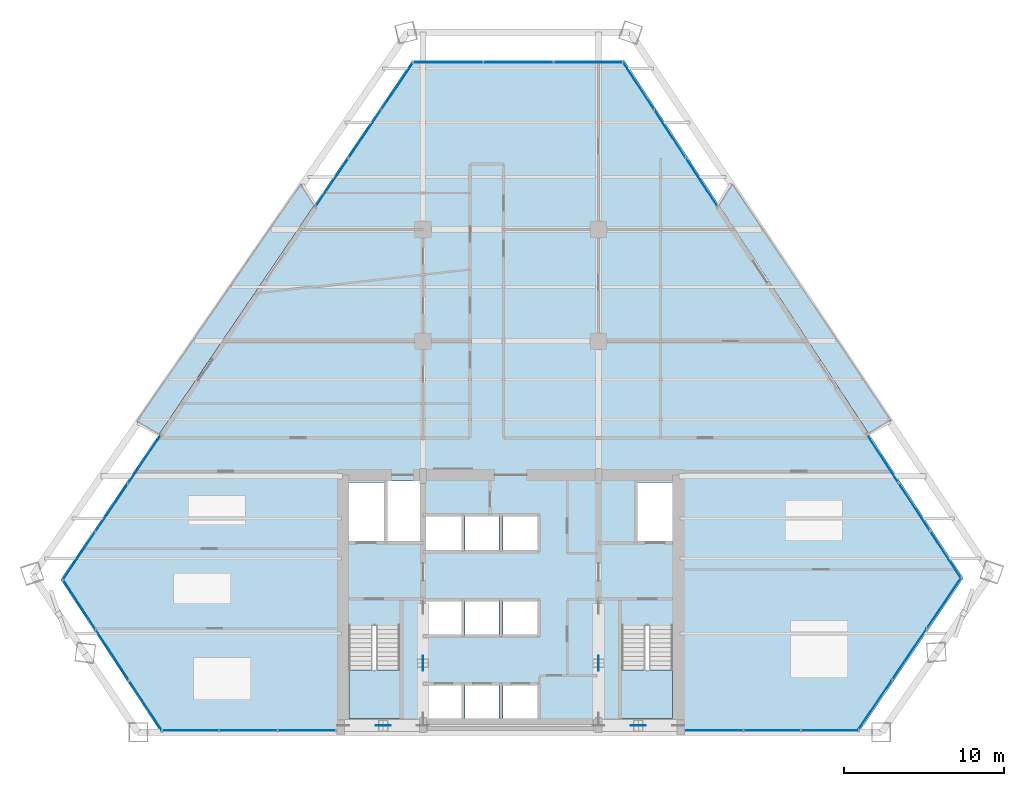
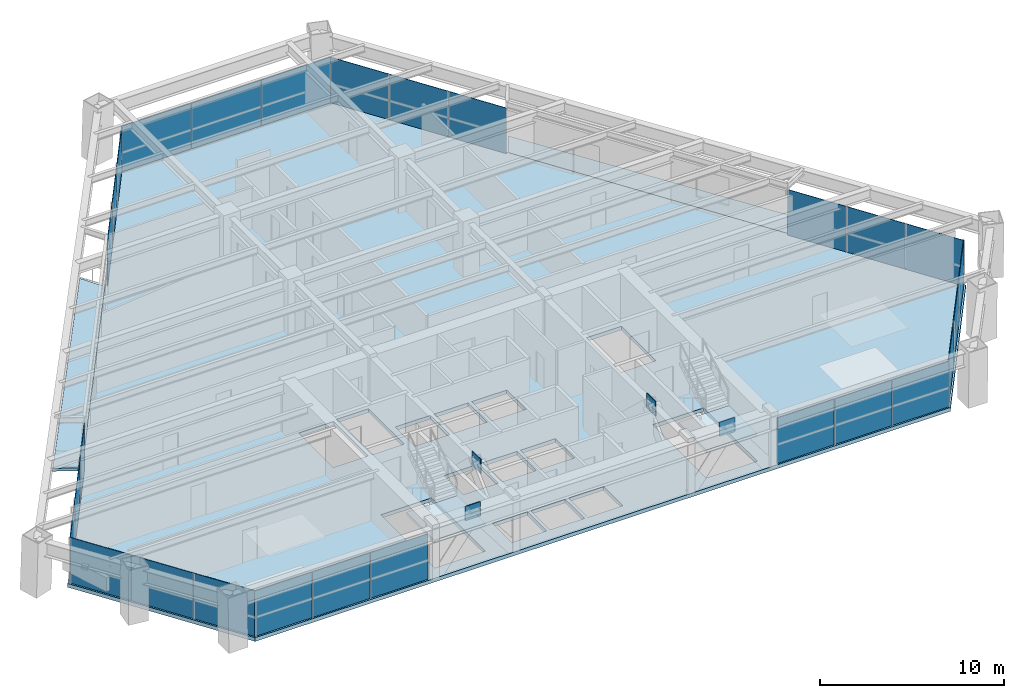
# One storey, part 9 of 14: 31 plates, 5 slabs, 11 elements without a shape of their own.
"""IFC4 building model written with IfcOpenShell, lengths in metres."""

from ifc_helpers import new_model, si_unit, direction, frame, origin, origin_2d, place, context, subcontext, project, spatial, polyline, rectangle, outline, extrude, source, transform, mapped, material, layer, layer_set, type_object, element, aggregate, save


model = new_model("IFC4")

# Units and contexts
model_context = context("Model", 3, precision=1e-05, world=origin(), true_north=direction((0.0, 1.0)))
body_context = subcontext(model_context, "Body", "Model", "MODEL_VIEW")
ifc_project = project(units=[si_unit("LENGTHUNIT", "METRE"), si_unit("AREAUNIT", "SQUARE_METRE"), si_unit("VOLUMEUNIT", "CUBIC_METRE"), si_unit("PLANEANGLEUNIT", "RADIAN"), si_unit("MASSUNIT", "GRAM", prefix="KILO")], contexts=[model_context])

# Site, building, storey
site_placement = place(None, origin())
site = spatial("IfcSite", under=ifc_project, at=site_placement, CompositionType="ELEMENT")
building_placement = place(site_placement, origin())
building = spatial("IfcBuilding", under=site, at=building_placement, Name="Varnakhor Terracotta Tower", CompositionType="ELEMENT")
storey_placement = place(building_placement, frame((0.0, 0.0, 76.60009765625)))
storey = spatial("IfcBuildingStorey", under=building, at=storey_placement, Name="L18", CompositionType="ELEMENT", Elevation=76.60009765625)

# Stair, slab
ifc_material_1 = material(Name="Concrete C40/50", Category="concrete")
stair_type = type_object("IfcStairType", Name="STR-CORE-OFFICE-1500", PredefinedType="HALF_TURN_STAIR", material=ifc_material_1)
stair_1_placement = place(storey_placement, origin())
stair_1 = element("IfcStair", 1, at=stair_1_placement, inside=storey, type_object=stair_type, Name="L18 Core Exit Stair ST-1", PredefinedType="HALF_TURN_STAIR")
ifc_layer_1 = layer(ifc_material_1, 0.179931640625, Name="Concrete C40/50")
ifc_layer_set_1 = layer_set([ifc_layer_1], Name="Concrete C40/50")
slab_type_1 = type_object("IfcSlabType", Name="SLB-LANDING-180", PredefinedType="LANDING", material=ifc_layer_set_1)
slab_1_placement = place(storey_placement, frame((0.0, 0.0, 1.64990234375)))
slab_1 = element("IfcSlab", 2, at=slab_1_placement, type_object=slab_type_1, Name="ST-1 landing 1", PredefinedType="LANDING", context=body_context, shape_type="SweptSolid", body=[
    extrude(outline(polyline([(-10.14990234375, 3.909912109375), (-10.14990234375, 0.85009765625), (-6.949951171875, 0.85009765625), (-6.949951171875, 3.909912109375), (-10.14990234375, 3.909912109375)])), origin(), (0.0, 0.0, 1.0), 0.199951171875),
])
aggregate(stair_1, [slab_1])

stair_2_placement = place(storey_placement, origin())
stair_2 = element("IfcStair", 3, at=stair_2_placement, inside=storey, type_object=stair_type, Name="L18 Core Exit Stair ST-2", PredefinedType="HALF_TURN_STAIR")
slab_2_placement = place(storey_placement, frame((0.0, 0.0, 1.64990234375)))
slab_2 = element("IfcSlab", 4, at=slab_2_placement, type_object=slab_type_1, Name="ST-2 landing 1", PredefinedType="LANDING", context=body_context, shape_type="SweptSolid", body=[
    extrude(outline(polyline([(6.949951171875, 3.909912109375), (6.949951171875, 0.85009765625), (10.14990234375, 0.85009765625), (10.14990234375, 3.909912109375), (6.949951171875, 3.909912109375)])), origin(), (0.0, 0.0, 1.0), 0.199951171875),
])
aggregate(stair_2, [slab_2])

# Slabs
ifc_layer_2 = layer(ifc_material_1, 0.195068359375, Name="Concrete C40/50")
ifc_layer_set_2 = layer_set([ifc_layer_2], Name="Concrete C40/50")
slab_type_2 = type_object("IfcSlabType", Name="SLB-LOGGIA-EXT-195", PredefinedType="FLOOR", material=ifc_layer_set_2)
slab_3_placement = place(storey_placement, frame((0.0, 0.0, -0.195068359375)))
element("IfcSlab", 5, at=slab_3_placement, inside=storey, type_object=slab_type_2, Name="L18 E Recessed Outdoor Loggia Slab", PredefinedType="FLOOR", context=body_context, shape_type="SweptSolid", body=[
    extrude(outline(polyline([(13.864501953125, 34.383544921875), (23.8173828125, 19.517578125), (22.409423828125, 18.743408203125), (18.4912109375, 24.7265625), (13.059814453125, 33.02001953125), (13.864501953125, 34.383544921875)])), origin(), (0.0, 0.0, 1.0), 0.195068359375),
])
slab_4_placement = place(storey_placement, frame((0.0, 0.0, -0.195068359375)))
element("IfcSlab", 6, at=slab_4_placement, inside=storey, type_object=slab_type_2, Name="L18 W Recessed Outdoor Loggia Slab", PredefinedType="FLOOR", context=body_context, shape_type="SweptSolid", body=[
    extrude(outline(polyline([(-23.439697265625, 19.45166015625), (-13.13671875, 34.35791015625), (-12.330810546875, 32.995361328125), (-17.53515625, 25.313720703125), (-22.029052734375, 18.680419921875), (-23.439697265625, 19.45166015625)])), origin(), (0.0, 0.0, 1.0), 0.195068359375),
])
ifc_layer_3 = layer(ifc_material_1, 0.25, Name="Concrete C40/50")
ifc_layer_set_3 = layer_set([ifc_layer_3], Name="Concrete C40/50")
slab_type_3 = type_object("IfcSlabType", Name="SLB-OFF-250", PredefinedType="FLOOR", material=ifc_layer_set_3)
slab_5_placement = place(storey_placement, frame((0.0, 0.0, -0.25)))
element("IfcSlab", 7, at=slab_5_placement, inside=storey, type_object=slab_type_3, Name="L18 Structural Floor Slab", PredefinedType="FLOOR", context=body_context, shape_type="SweptSolid", body=[
    extrude(outline(polyline([(-28.20068359375, 9.570556640625), (-6.159423828125, 42.10498046875), (7.110107421875, 42.10498046875), (28.359130859375, 9.658447265625), (21.81591796875, 0.0), (-21.932861328125, 0.0), (-28.20068359375, 9.570556640625)]), holes=[polyline([(-3.10009765625, 0.85009765625), (-3.10009765625, 2.949951171875), (-5.300048828125, 2.949951171875), (-5.300048828125, 0.85009765625), (-3.10009765625, 0.85009765625)]), polyline([(-2.8798828125, 0.85009765625), (-0.719970703125, 0.85009765625), (-0.719970703125, 2.949951171875), (-2.8798828125, 2.949951171875), (-2.8798828125, 0.85009765625)]), polyline([(-10.14990234375, 0.85009765625), (-6.949951171875, 0.85009765625), (-6.949951171875, 6.695068359375), (-10.14990234375, 6.695068359375), (-10.14990234375, 0.85009765625)]), polyline([(-5.300048828125, 6.10009765625), (-3.10009765625, 6.10009765625), (-3.10009765625, 8.199951171875), (-5.300048828125, 8.199951171875), (-5.300048828125, 6.10009765625)]), polyline([(-5.300048828125, 11.419921875), (-3.10009765625, 11.419921875), (-3.10009765625, 13.52001953125), (-5.300048828125, 13.52001953125), (-5.300048828125, 11.419921875)]), polyline([(-10.14990234375, 11.8798828125), (-7.949951171875, 11.8798828125), (-7.949951171875, 15.64990234375), (-10.14990234375, 15.64990234375), (-10.14990234375, 11.8798828125)]), polyline([(-7.72998046875, 11.8798828125), (-5.699951171875, 11.8798828125), (-5.699951171875, 15.75), (-7.72998046875, 15.75), (-7.72998046875, 11.8798828125)]), polyline([(1.699951171875, 0.85009765625), (1.699951171875, 2.949951171875), (-0.5, 2.949951171875), (-0.5, 0.85009765625), (1.699951171875, 0.85009765625)]), polyline([(6.949951171875, 0.85009765625), (10.14990234375, 0.85009765625), (10.14990234375, 6.695068359375), (6.949951171875, 6.695068359375), (6.949951171875, 0.85009765625)]), polyline([(-2.8798828125, 6.10009765625), (-0.719970703125, 6.10009765625), (-0.719970703125, 8.199951171875), (-2.8798828125, 8.199951171875), (-2.8798828125, 6.10009765625)]), polyline([(-0.5, 6.10009765625), (1.699951171875, 6.10009765625), (1.699951171875, 8.199951171875), (-0.5, 8.199951171875), (-0.5, 6.10009765625)]), polyline([(-2.8798828125, 11.419921875), (-0.719970703125, 11.419921875), (-0.719970703125, 13.52001953125), (-2.8798828125, 13.52001953125), (-2.8798828125, 11.419921875)]), polyline([(-0.5, 11.419921875), (1.699951171875, 11.419921875), (1.699951171875, 13.52001953125), (-0.5, 13.52001953125), (-0.5, 11.419921875)]), polyline([(7.949951171875, 11.8798828125), (10.14990234375, 11.8798828125), (10.14990234375, 15.64990234375), (7.949951171875, 15.64990234375), (7.949951171875, 11.8798828125)])]), origin(), (0.0, 0.0, 1.0), 0.25),
])

# Plates
ifc_material_2 = material(Name="Steel S460", Category="steel")
ifc_layer_4 = layer(ifc_material_2, 0.050048828125, Name="Steel S460")
ifc_layer_set_4 = layer_set([ifc_layer_4], Name="Steel S460")
plate_type_1 = type_object("IfcPlateType", Name="PLT-GUSSET-50", PredefinedType="USERDEFINED", material=ifc_layer_set_4)
shared_shape_1 = source(origin(), body_context, "Body", "SweptSolid", [
    extrude(rectangle(XDim=0.949951171875, YDim=0.044921875, at=origin_2d()), origin(), (0.0, 0.0, 1.0), 0.949951171875),
])
for number, where, z_axis, x_axis, name in (
    (8, (-8.0, 0.419921875, 2.82470703125), (0.0, 0.0, 1.0), (1.0, 0.0, 0.0), "L18 Core Brace Apex Gusset CSW"),
    (9, (8.0, 0.419921875, 2.82470703125), (0.0, 0.0, 1.0), (1.0, 0.0, 0.0), "L18 Core Brace Apex Gusset CSE"),
    (10, (-5.5, 4.324951171875, 2.82470703125), (0.0, 0.0, 1.0), (0.0, 1.0, 0.0), "L18 Core Brace Apex Gusset CWW"),
    (11, (5.5, 4.324951171875, 2.82470703125), (0.0, 0.0, 1.0), (0.0, 1.0, 0.0), "L18 Core Brace Apex Gusset CWE"),
):
    element("IfcPlate", number, at=place(storey_placement, frame(where, z_axis=z_axis, x_axis=x_axis)), inside=storey, type_object=plate_type_1, Name=name, ObjectType="GUSSET PLATE", PredefinedType="USERDEFINED", context=body_context, shape_type="MappedRepresentation", body=[
        mapped(shared_shape_1, transform((0.0, 0.0, 0.0), scale=1.0)),
    ])

# Curtain wall, plates
ifc_material_3 = material(Name="Anodised Aluminium Curtain Wall System", Category="aluminium")
curtain_wall_type = type_object("IfcCurtainWallType", Name="CW-SYS-LOW-OFFICE", PredefinedType="NOTDEFINED", material=ifc_material_3)
curtain_wall_1_placement = place(storey_placement, origin())
curtain_wall_1 = element("IfcCurtainWall", 12, at=curtain_wall_1_placement, inside=storey, type_object=curtain_wall_type, Name="L18 W Facet Curtain Wall 1", PredefinedType="NOTDEFINED")
ifc_material_4 = material(Name="Solar-Control Low-E Insulated Glass Panel", Category="glass")
ifc_layer_5 = layer(ifc_material_4, 0.0380859375, Name="Solar-Control Low-E Insulated Glass Panel")
ifc_layer_set_5 = layer_set([ifc_layer_5], Name="Solar-Control Low-E Insulated Glass Panel")
plate_type_2 = type_object("IfcPlateType", Name="CWP-02", PredefinedType="CURTAIN_PANEL", material=ifc_layer_set_5)
shared_shape_2 = source(origin(), body_context, "Body", "SweptSolid", [
    extrude(rectangle(XDim=3.60791015625, YDim=0.035888671875, at=origin_2d()), origin(), (0.0, 0.0, 1.0), 3.030029296875),
])
plate_1_placement = place(storey_placement, frame((-27.0615234375, 11.0380859375, 0.0), z_axis=(0.0, 0.0, 1.0), x_axis=(0.560884660329, 0.827893953238, 0.0)))
plate_1 = element("IfcPlate", 13, at=plate_1_placement, type_object=plate_type_2, Name="L18 W Facet Curtain Wall 1 Glazed Panel 1", PredefinedType="CURTAIN_PANEL", context=body_context, shape_type="MappedRepresentation", body=[
    mapped(shared_shape_2, transform((0.0, 0.0, 0.0), scale=1.0)),
])
plate_2_placement = place(storey_placement, frame((-25.015380859375, 14.05810546875, 0.0), z_axis=(0.0, 0.0, 1.0), x_axis=(0.560884660329, 0.827893953238, 0.0)))
plate_2 = element("IfcPlate", 14, at=plate_2_placement, type_object=plate_type_2, Name="L18 W Facet Curtain Wall 1 Glazed Panel 2", PredefinedType="CURTAIN_PANEL", context=body_context, shape_type="MappedRepresentation", body=[
    mapped(shared_shape_2, transform((0.0, 0.0, 0.0), scale=1.0)),
])
plate_3_placement = place(storey_placement, frame((-22.969482421875, 17.078125, 0.0), z_axis=(0.0, 0.0, 1.0), x_axis=(0.560884660329, 0.827893953238, 0.0)))
plate_3 = element("IfcPlate", 15, at=plate_3_placement, type_object=plate_type_2, Name="L18 W Facet Curtain Wall 1 Glazed Panel 3", PredefinedType="CURTAIN_PANEL", context=body_context, shape_type="MappedRepresentation", body=[
    mapped(shared_shape_2, transform((0.0, 0.0, 0.0), scale=1.0)),
])
aggregate(curtain_wall_1, [plate_1, plate_2, plate_3])

curtain_wall_2_placement = place(storey_placement, origin())
curtain_wall_2 = element("IfcCurtainWall", 16, at=curtain_wall_2_placement, inside=storey, type_object=curtain_wall_type, Name="L18 W Facet Curtain Wall 2", PredefinedType="NOTDEFINED")
plate_4_placement = place(storey_placement, frame((-11.19189453125, 34.462890625, 0.0), z_axis=(0.0, 0.0, 1.0), x_axis=(0.560884660329, 0.827893953238, 0.0)))
plate_4 = element("IfcPlate", 17, at=plate_4_placement, type_object=plate_type_2, Name="L18 W Facet Curtain Wall 2 Glazed Panel 1", PredefinedType="CURTAIN_PANEL", context=body_context, shape_type="MappedRepresentation", body=[
    mapped(shared_shape_2, transform((0.0, 0.0, 0.0), scale=1.0)),
])
plate_5_placement = place(storey_placement, frame((-9.145751953125, 37.48291015625, 0.0), z_axis=(0.0, 0.0, 1.0), x_axis=(0.560884660329, 0.827893953238, 0.0)))
plate_5 = element("IfcPlate", 18, at=plate_5_placement, type_object=plate_type_2, Name="L18 W Facet Curtain Wall 2 Glazed Panel 2", PredefinedType="CURTAIN_PANEL", context=body_context, shape_type="MappedRepresentation", body=[
    mapped(shared_shape_2, transform((0.0, 0.0, 0.0), scale=1.0)),
])
plate_6_placement = place(storey_placement, frame((-7.099853515625, 40.5029296875, 0.0), z_axis=(0.0, 0.0, 1.0), x_axis=(0.560884660329, 0.827893953238, 0.0)))
plate_6 = element("IfcPlate", 19, at=plate_6_placement, type_object=plate_type_2, Name="L18 W Facet Curtain Wall 2 Glazed Panel 3", PredefinedType="CURTAIN_PANEL", context=body_context, shape_type="MappedRepresentation", body=[
    mapped(shared_shape_2, transform((0.0, 0.0, 0.0), scale=1.0)),
])
aggregate(curtain_wall_2, [plate_4, plate_5, plate_6])

curtain_wall_3_placement = place(storey_placement, origin())
curtain_wall_3 = element("IfcCurtainWall", 20, at=curtain_wall_3_placement, inside=storey, type_object=curtain_wall_type, Name="L18 Facet Curtain Wall 2", PredefinedType="NOTDEFINED")
shared_shape_3 = source(origin(), body_context, "Body", "SweptSolid", [
    extrude(rectangle(XDim=4.36328125, YDim=0.035888671875, at=origin_2d()), origin(), (0.0, 0.0, 1.0), 3.030029296875),
])
plate_7_placement = place(storey_placement, frame((-3.927734375, 41.985107421875, 0.0), z_axis=(0.0, 0.0, 1.0), x_axis=(1.0, 0.0, 0.0)))
plate_7 = element("IfcPlate", 21, at=plate_7_placement, type_object=plate_type_2, Name="L18 Facet Curtain Wall 2 Glazed Panel 1", PredefinedType="CURTAIN_PANEL", context=body_context, shape_type="MappedRepresentation", body=[
    mapped(shared_shape_3, transform((0.0, 0.0, 0.0), scale=1.0)),
])
plate_8_placement = place(storey_placement, frame((4.87841796875, 41.985107421875, 0.0), z_axis=(0.0, 0.0, 1.0), x_axis=(1.0, 0.0, 0.0)))
plate_8 = element("IfcPlate", 22, at=plate_8_placement, type_object=plate_type_2, Name="L18 Facet Curtain Wall 2 Glazed Panel 3", PredefinedType="CURTAIN_PANEL", context=body_context, shape_type="MappedRepresentation", body=[
    mapped(shared_shape_3, transform((0.0, 0.0, 0.0), scale=1.0)),
])
shared_shape_4 = source(origin(), body_context, "Body", "SweptSolid", [
    extrude(rectangle(XDim=4.363037109375, YDim=0.035888671875, at=origin_2d()), origin(), (0.0, 0.0, 1.0), 3.030029296875),
])
plate_9_placement = place(storey_placement, frame((0.475341796875, 41.985107421875, 0.0), z_axis=(0.0, 0.0, 1.0), x_axis=(1.0, 0.0, 0.0)))
plate_9 = element("IfcPlate", 23, at=plate_9_placement, type_object=plate_type_2, Name="L18 Facet Curtain Wall 2 Glazed Panel 2", PredefinedType="CURTAIN_PANEL", context=body_context, shape_type="MappedRepresentation", body=[
    mapped(shared_shape_4, transform((0.0, 0.0, 0.0), scale=1.0)),
])
aggregate(curtain_wall_3, [plate_7, plate_9, plate_8])

curtain_wall_4_placement = place(storey_placement, origin())
curtain_wall_4 = element("IfcCurtainWall", 24, at=curtain_wall_4_placement, inside=storey, type_object=curtain_wall_type, Name="L18 E Facet Curtain Wall 1", PredefinedType="NOTDEFINED")
shared_shape_5 = source(origin(), body_context, "Body", "SweptSolid", [
    extrude(rectangle(XDim=3.56005859375, YDim=0.035888671875, at=origin_2d()), origin(), (0.0, 0.0, 1.0), 3.030029296875),
])
plate_10_placement = place(storey_placement, frame((8.01220703125, 40.50830078125, 0.0), z_axis=(0.0, 0.0, 1.0), x_axis=(0.547855275974, -0.836573126862, 0.0)))
plate_10 = element("IfcPlate", 25, at=plate_10_placement, type_object=plate_type_2, Name="L18 E Facet Curtain Wall 1 Glazed Panel 1", PredefinedType="CURTAIN_PANEL", context=body_context, shape_type="MappedRepresentation", body=[
    mapped(shared_shape_5, transform((0.0, 0.0, 0.0), scale=1.0)),
])
plate_11_placement = place(storey_placement, frame((9.984619140625, 37.496826171875, 0.0), z_axis=(0.0, 0.0, 1.0), x_axis=(0.547855275974, -0.836573126862, 0.0)))
plate_11 = element("IfcPlate", 26, at=plate_11_placement, type_object=plate_type_2, Name="L18 E Facet Curtain Wall 1 Glazed Panel 2", PredefinedType="CURTAIN_PANEL", context=body_context, shape_type="MappedRepresentation", body=[
    mapped(shared_shape_5, transform((0.0, 0.0, 0.0), scale=1.0)),
])
plate_12_placement = place(storey_placement, frame((11.956787109375, 34.485107421875, 0.0), z_axis=(0.0, 0.0, 1.0), x_axis=(0.547855275974, -0.836573126862, 0.0)))
plate_12 = element("IfcPlate", 27, at=plate_12_placement, type_object=plate_type_2, Name="L18 E Facet Curtain Wall 1 Glazed Panel 3", PredefinedType="CURTAIN_PANEL", context=body_context, shape_type="MappedRepresentation", body=[
    mapped(shared_shape_5, transform((0.0, 0.0, 0.0), scale=1.0)),
])
aggregate(curtain_wall_4, [plate_10, plate_11, plate_12])

curtain_wall_5_placement = place(storey_placement, origin())
curtain_wall_5 = element("IfcCurtainWall", 28, at=curtain_wall_5_placement, inside=storey, type_object=curtain_wall_type, Name="L18 E Facet Curtain Wall 2", PredefinedType="NOTDEFINED")
plate_13_placement = place(storey_placement, frame((23.3115234375, 17.14697265625, 0.0), z_axis=(0.0, 0.0, 1.0), x_axis=(0.547855275974, -0.836573126862, 0.0)))
plate_13 = element("IfcPlate", 29, at=plate_13_placement, type_object=plate_type_2, Name="L18 E Facet Curtain Wall 2 Glazed Panel 1", PredefinedType="CURTAIN_PANEL", context=body_context, shape_type="MappedRepresentation", body=[
    mapped(shared_shape_5, transform((0.0, 0.0, 0.0), scale=1.0)),
])
plate_14_placement = place(storey_placement, frame((25.283935546875, 14.13525390625, 0.0), z_axis=(0.0, 0.0, 1.0), x_axis=(0.547855275974, -0.836573126862, 0.0)))
plate_14 = element("IfcPlate", 30, at=plate_14_placement, type_object=plate_type_2, Name="L18 E Facet Curtain Wall 2 Glazed Panel 2", PredefinedType="CURTAIN_PANEL", context=body_context, shape_type="MappedRepresentation", body=[
    mapped(shared_shape_5, transform((0.0, 0.0, 0.0), scale=1.0)),
])
plate_15_placement = place(storey_placement, frame((27.256103515625, 11.123779296875, 0.0), z_axis=(0.0, 0.0, 1.0), x_axis=(0.547855275974, -0.836573126862, 0.0)))
plate_15 = element("IfcPlate", 31, at=plate_15_placement, type_object=plate_type_2, Name="L18 E Facet Curtain Wall 2 Glazed Panel 3", PredefinedType="CURTAIN_PANEL", context=body_context, shape_type="MappedRepresentation", body=[
    mapped(shared_shape_5, transform((0.0, 0.0, 0.0), scale=1.0)),
])
aggregate(curtain_wall_5, [plate_13, plate_14, plate_15])

curtain_wall_6_placement = place(storey_placement, origin())
curtain_wall_6 = element("IfcCurtainWall", 32, at=curtain_wall_6_placement, inside=storey, type_object=curtain_wall_type, Name="L18 Facet Curtain Wall 4", PredefinedType="NOTDEFINED")
shared_shape_6 = source(origin(), body_context, "Body", "SweptSolid", [
    extrude(rectangle(XDim=3.828857421875, YDim=0.035888671875, at=origin_2d()), origin(), (0.0, 0.0, 1.0), 3.030029296875),
])
plate_16_placement = place(storey_placement, frame((27.157958984375, 8.099609375, 0.0), z_axis=(0.0, 0.0, 1.0), x_axis=(-0.560870210768, -0.827903742396, 0.0)))
plate_16 = element("IfcPlate", 33, at=plate_16_placement, type_object=plate_type_2, Name="L18 Facet Curtain Wall 4 Glazed Panel 1", PredefinedType="CURTAIN_PANEL", context=body_context, shape_type="MappedRepresentation", body=[
    mapped(shared_shape_6, transform((0.0, 0.0, 0.0), scale=1.0)),
])
plate_17_placement = place(storey_placement, frame((22.818115234375, 1.693603515625, 0.0), z_axis=(0.0, 0.0, 1.0), x_axis=(-0.560870210768, -0.827903742396, 0.0)))
plate_17 = element("IfcPlate", 34, at=plate_17_placement, type_object=plate_type_2, Name="L18 Facet Curtain Wall 4 Glazed Panel 3", PredefinedType="CURTAIN_PANEL", context=body_context, shape_type="MappedRepresentation", body=[
    mapped(shared_shape_6, transform((0.0, 0.0, 0.0), scale=1.0)),
])
shared_shape_7 = source(origin(), body_context, "Body", "SweptSolid", [
    extrude(rectangle(XDim=3.82861328125, YDim=0.035888671875, at=origin_2d()), origin(), (0.0, 0.0, 1.0), 3.030029296875),
])
plate_18_placement = place(storey_placement, frame((24.988037109375, 4.896484375, 0.0), z_axis=(0.0, 0.0, 1.0), x_axis=(-0.560870210768, -0.827903742396, 0.0)))
plate_18 = element("IfcPlate", 35, at=plate_18_placement, type_object=plate_type_2, Name="L18 Facet Curtain Wall 4 Glazed Panel 2", PredefinedType="CURTAIN_PANEL", context=body_context, shape_type="MappedRepresentation", body=[
    mapped(shared_shape_7, transform((0.0, 0.0, 0.0), scale=1.0)),
])
aggregate(curtain_wall_6, [plate_16, plate_18, plate_17])

curtain_wall_7_placement = place(storey_placement, origin())
curtain_wall_7 = element("IfcCurtainWall", 36, at=curtain_wall_7_placement, inside=storey, type_object=curtain_wall_type, Name="L18 South Wing Curtain Wall SSE", PredefinedType="NOTDEFINED")
shared_shape_8 = source(origin(), body_context, "Body", "SweptSolid", [
    extrude(rectangle(XDim=3.572021484375, YDim=0.035888671875, at=origin_2d()), origin(), (0.0, 0.0, 1.0), 3.030029296875),
])
plate_19_placement = place(storey_placement, frame((20.0, 0.1201171875, 0.0), z_axis=(0.0, 0.0, 1.0), x_axis=(-1.0, 0.0, 0.0)))
plate_19 = element("IfcPlate", 37, at=plate_19_placement, type_object=plate_type_2, Name="L18 South Wing Curtain Wall SSE Glazed Panel 1", PredefinedType="CURTAIN_PANEL", context=body_context, shape_type="MappedRepresentation", body=[
    mapped(shared_shape_8, transform((0.0, 0.0, 0.0), scale=1.0)),
])
plate_20_placement = place(storey_placement, frame((16.387939453125, 0.1201171875, 0.0), z_axis=(0.0, 0.0, 1.0), x_axis=(-1.0, 0.0, 0.0)))
plate_20 = element("IfcPlate", 38, at=plate_20_placement, type_object=plate_type_2, Name="L18 South Wing Curtain Wall SSE Glazed Panel 2", PredefinedType="CURTAIN_PANEL", context=body_context, shape_type="MappedRepresentation", body=[
    mapped(shared_shape_8, transform((0.0, 0.0, 0.0), scale=1.0)),
])
plate_21_placement = place(storey_placement, frame((12.77587890625, 0.1201171875, 0.0), z_axis=(0.0, 0.0, 1.0), x_axis=(-1.0, 0.0, 0.0)))
plate_21 = element("IfcPlate", 39, at=plate_21_placement, type_object=plate_type_2, Name="L18 South Wing Curtain Wall SSE Glazed Panel 3", PredefinedType="CURTAIN_PANEL", context=body_context, shape_type="MappedRepresentation", body=[
    mapped(shared_shape_8, transform((0.0, 0.0, 0.0), scale=1.0)),
])
aggregate(curtain_wall_7, [plate_19, plate_20, plate_21])

curtain_wall_8_placement = place(storey_placement, origin())
curtain_wall_8 = element("IfcCurtainWall", 40, at=curtain_wall_8_placement, inside=storey, type_object=curtain_wall_type, Name="L18 South Wing Curtain Wall SSW", PredefinedType="NOTDEFINED")
shared_shape_9 = source(origin(), body_context, "Body", "SweptSolid", [
    extrude(rectangle(XDim=3.611083984375, YDim=0.035888671875, at=origin_2d()), origin(), (0.0, 0.0, 1.0), 3.030029296875),
])
plate_22_placement = place(storey_placement, frame((-12.79541015625, 0.1201171875, 0.0), z_axis=(0.0, 0.0, 1.0), x_axis=(-1.0, 0.0, 0.0)))
plate_22 = element("IfcPlate", 41, at=plate_22_placement, type_object=plate_type_2, Name="L18 South Wing Curtain Wall SSW Glazed Panel 1", PredefinedType="CURTAIN_PANEL", context=body_context, shape_type="MappedRepresentation", body=[
    mapped(shared_shape_9, transform((0.0, 0.0, 0.0), scale=1.0)),
])
plate_23_placement = place(storey_placement, frame((-20.097412109375, 0.1201171875, 0.0), z_axis=(0.0, 0.0, 1.0), x_axis=(-1.0, 0.0, 0.0)))
plate_23 = element("IfcPlate", 42, at=plate_23_placement, type_object=plate_type_2, Name="L18 South Wing Curtain Wall SSW Glazed Panel 3", PredefinedType="CURTAIN_PANEL", context=body_context, shape_type="MappedRepresentation", body=[
    mapped(shared_shape_9, transform((0.0, 0.0, 0.0), scale=1.0)),
])
shared_shape_10 = source(origin(), body_context, "Body", "SweptSolid", [
    extrude(rectangle(XDim=3.61083984375, YDim=0.035888671875, at=origin_2d()), origin(), (0.0, 0.0, 1.0), 3.030029296875),
])
plate_24_placement = place(storey_placement, frame((-16.4462890625, 0.1201171875, 0.0), z_axis=(0.0, 0.0, 1.0), x_axis=(-1.0, 0.0, 0.0)))
plate_24 = element("IfcPlate", 43, at=plate_24_placement, type_object=plate_type_2, Name="L18 South Wing Curtain Wall SSW Glazed Panel 2", PredefinedType="CURTAIN_PANEL", context=body_context, shape_type="MappedRepresentation", body=[
    mapped(shared_shape_10, transform((0.0, 0.0, 0.0), scale=1.0)),
])
aggregate(curtain_wall_8, [plate_22, plate_24, plate_23])

curtain_wall_9_placement = place(storey_placement, origin())
curtain_wall_9 = element("IfcCurtainWall", 44, at=curtain_wall_9_placement, inside=storey, type_object=curtain_wall_type, Name="L18 Facet Curtain Wall 6", PredefinedType="NOTDEFINED")
shared_shape_11 = source(origin(), body_context, "Body", "SweptSolid", [
    extrude(rectangle(XDim=3.75341796875, YDim=0.035888671875, at=origin_2d()), origin(), (0.0, 0.0, 1.0), 3.030029296875),
])
plate_25_placement = place(storey_placement, frame((-22.887939453125, 1.677490234375, 0.0), z_axis=(0.0, 0.0, 1.0), x_axis=(-0.547855275974, 0.836573126862, 0.0)))
plate_25 = element("IfcPlate", 45, at=plate_25_placement, type_object=plate_type_2, Name="L18 Facet Curtain Wall 6 Glazed Panel 1", PredefinedType="CURTAIN_PANEL", context=body_context, shape_type="MappedRepresentation", body=[
    mapped(shared_shape_11, transform((0.0, 0.0, 0.0), scale=1.0)),
])
plate_26_placement = place(storey_placement, frame((-24.96630859375, 4.85107421875, 0.0), z_axis=(0.0, 0.0, 1.0), x_axis=(-0.547855275974, 0.836573126862, 0.0)))
plate_26 = element("IfcPlate", 46, at=plate_26_placement, type_object=plate_type_2, Name="L18 Facet Curtain Wall 6 Glazed Panel 2", PredefinedType="CURTAIN_PANEL", context=body_context, shape_type="MappedRepresentation", body=[
    mapped(shared_shape_11, transform((0.0, 0.0, 0.0), scale=1.0)),
])
plate_27_placement = place(storey_placement, frame((-27.044677734375, 8.0244140625, 0.0), z_axis=(0.0, 0.0, 1.0), x_axis=(-0.547855275974, 0.836573126862, 0.0)))
plate_27 = element("IfcPlate", 47, at=plate_27_placement, type_object=plate_type_2, Name="L18 Facet Curtain Wall 6 Glazed Panel 3", PredefinedType="CURTAIN_PANEL", context=body_context, shape_type="MappedRepresentation", body=[
    mapped(shared_shape_11, transform((0.0, 0.0, 0.0), scale=1.0)),
])
aggregate(curtain_wall_9, [plate_25, plate_26, plate_27])

save(model, "model.ifc")
